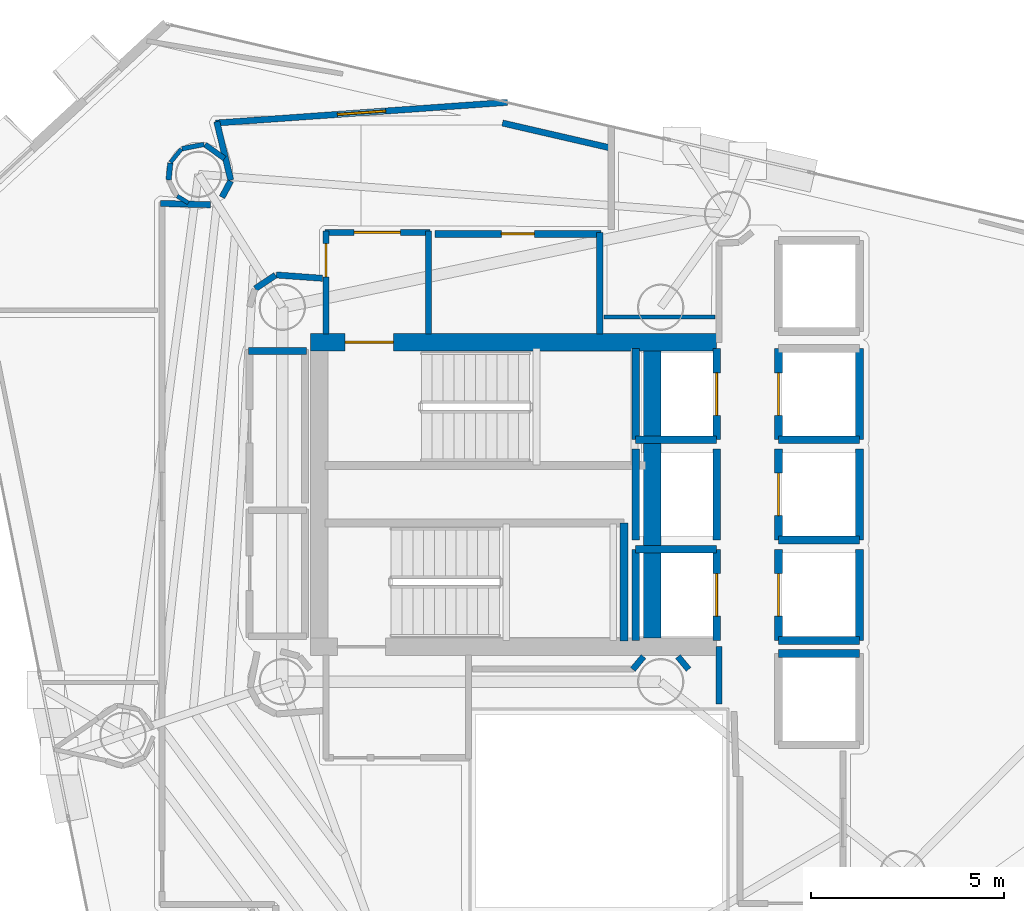
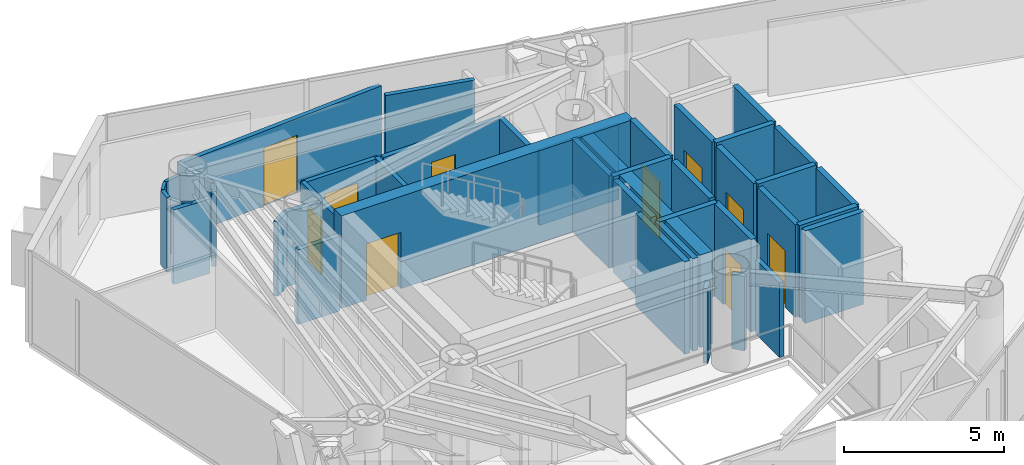
# One storey, part 18 of 22: 43 walls, 10 doors, 10 openings.
"""IFC4 building model written with IfcOpenShell, lengths in metres."""

from ifc_helpers import new_model, si_unit, direction, frame, frame_2d, origin, place, context, subcontext, project, spatial, rectangle, extrude, material, layer, layer_set, type_object, element, fill, save


model = new_model("IFC4")

# Units and contexts
model_context = context("Model", 3, precision=1e-05, world=origin(), true_north=direction((0.0, 1.0)))
body_context = subcontext(model_context, "Body", "Model", "MODEL_VIEW")
ifc_project = project(units=[si_unit("LENGTHUNIT", "METRE"), si_unit("AREAUNIT", "SQUARE_METRE"), si_unit("VOLUMEUNIT", "CUBIC_METRE"), si_unit("PLANEANGLEUNIT", "RADIAN"), si_unit("MASSUNIT", "GRAM", prefix="KILO")], contexts=[model_context])

# Site, building, storey
site_placement = place(None, origin())
site = spatial("IfcSite", under=ifc_project, at=site_placement, CompositionType="ELEMENT")
building_placement = place(site_placement, origin())
building = spatial("IfcBuilding", under=site, at=building_placement, Name="Qianvela Tower", CompositionType="ELEMENT")
storey_placement = place(building_placement, frame((0.0, 0.0, 196.60009765625)))
storey = spatial("IfcBuildingStorey", under=building, at=storey_placement, Name="L50", CompositionType="ELEMENT", Elevation=196.60009765625)

# Wall, opening, door
ifc_material_1 = material(Name="Concrete C50", Category="concrete")
ifc_layer_1 = layer(ifc_material_1, 0.449951171875)
ifc_layer_set_1 = layer_set([ifc_layer_1], Name="Concrete C50")
wall_type_1 = type_object("IfcWallType", Name="WT-CORE-450", PredefinedType="SHEAR", material=ifc_layer_set_1)
wall_1_placement = place(storey_placement, frame((29.330078125, 32.64501953125, 0.0), z_axis=(0.0, 0.0, 1.0), x_axis=(1.0, 0.0, 0.0)))
wall_1 = element("IfcWall", 1, at=wall_1_placement, inside=storey, type_object=wall_type_1, Name="L50 North Core Shear Wall", PredefinedType="SHEAR", context=body_context, shape_type="SweptSolid", body=[
    extrude(rectangle(XDim=10.52001953125, YDim=0.449951171875, at=frame_2d((5.260009765625, 0.0))), origin(), (0.0, 0.0, 1.0), 3.52001953125),
])
opening_1_placement = place(wall_1_placement, frame((0.89501953125, 0.0, 0.0)))
opening_1 = element("IfcOpeningElement", 2, at=opening_1_placement, cuts=wall_1, Name="Opening D-ST1", PredefinedType="OPENING", context=body_context, shape_type="SweptSolid", body=[
    extrude(rectangle(XDim=1.25, YDim=2.14990234375, at=frame_2d((0.625, 1.074951171875))), frame((0.0, 0.23486328125, 0.0), z_axis=(0.0, -1.0, 0.0), x_axis=(1.0, 0.0, 0.0)), (0.0, 0.0, 1.0), 0.469970703125),
])
ifc_material_2 = material(Name="Galvanised Fire Steel Q355B", Category="steel")
door_type_1 = type_object("IfcDoorType", Name="DT-STAIR-FD90", OperationType="NOTDEFINED", PredefinedType="DOOR", material=ifc_material_2)
door_1_placement = place(opening_1_placement, origin())
door_1 = element("IfcDoor", 3, at=door_1_placement, inside=storey, type_object=door_type_1, Name="L50 Stair ST-1 Exit Door", OperationType="SINGLE_SWING_RIGHT", OverallHeight=2.14990234375, OverallWidth=1.25, PredefinedType="DOOR", context=body_context, shape_type="SweptSolid", body=[
    extrude(rectangle(XDim=1.25, YDim=2.14990234375, at=frame_2d((0.625, 1.074951171875))), frame((0.0, 0.02490234375, 0.0), z_axis=(0.0, -1.0, 0.0), x_axis=(1.0, 0.0, 0.0)), (0.0, 0.0, 1.0), 0.050048828125),
])
fill(opening_1, door_1)

# Wall
wall_2_placement = place(storey_placement, frame((38.179931640625, 24.97998046875, 0.0), z_axis=(0.0, 0.0, 1.0), x_axis=(0.0, 1.0, 0.0)))
element("IfcWall", 4, at=wall_2_placement, inside=storey, type_object=wall_type_1, Name="L50 East Spine Core Shear Wall", PredefinedType="SHEAR", context=body_context, shape_type="SweptSolid", body=[
    extrude(rectangle(XDim=7.43994140625, YDim=0.449951171875, at=frame_2d((3.719970703125, 0.0))), origin(), (0.0, 0.0, 1.0), 3.52001953125),
])

# Wall, opening, door
ifc_material_3 = material(Name="Fire-Rated Gypsum and Concrete Block", Category="concrete")
ifc_layer_2 = layer(ifc_material_3, 0.159912109375)
ifc_layer_set_2 = layer_set([ifc_layer_2], Name="Fire-Rated Gypsum and Concrete Block")
wall_type_2 = type_object("IfcWallType", Name="WT-CORR-160", PredefinedType="PARTITIONING", material=ifc_layer_set_2)
wall_3_placement = place(storey_placement, frame((29.73095703125, 32.85791015625, 0.0), z_axis=(0.0, 0.0, 1.0), x_axis=(0.0, 1.0, 0.0)))
wall_3 = element("IfcWall", 5, at=wall_3_placement, inside=storey, type_object=wall_type_2, Name="L50 Partition 2", PredefinedType="PARTITIONING", context=body_context, shape_type="SweptSolid", body=[
    extrude(rectangle(XDim=2.662109375, YDim=0.159912109375, at=frame_2d((1.3310546875, 0.0))), origin(), (0.0, 0.0, 1.0), 2.83984375),
])
opening_2_placement = place(wall_3_placement, frame((1.478271484375, 0.0, 0.0)))
opening_2 = element("IfcOpeningElement", 6, at=opening_2_placement, cuts=wall_3, Name="Opening D-LB2", PredefinedType="OPENING", context=body_context, shape_type="SweptSolid", body=[
    extrude(rectangle(XDim=0.860107421875, YDim=2.050048828125, at=frame_2d((0.43017578125, 1.02490234375))), frame((0.0, 0.08984375, 0.0), z_axis=(0.0, -1.0, 0.0), x_axis=(1.0, 0.0, 0.0)), (0.0, 0.0, 1.0), 0.179931640625),
])
ifc_material_4 = material(Name="Insulated Steel Fire Door Q355B", Category="steel")
door_type_2 = type_object("IfcDoorType", Name="DT-LOBBY-FD90-860", OperationType="NOTDEFINED", PredefinedType="DOOR", material=ifc_material_4)
door_2_placement = place(opening_2_placement, origin())
door_2 = element("IfcDoor", 7, at=door_2_placement, inside=storey, type_object=door_type_2, Name="L50 Door L50 Firefighting Lobby North to L50 Floor Corridor", OperationType="SINGLE_SWING_LEFT", OverallHeight=2.050048828125, OverallWidth=0.860107421875, PredefinedType="DOOR", context=body_context, shape_type="SweptSolid", body=[
    extrude(rectangle(XDim=0.860107421875, YDim=2.050048828125, at=frame_2d((0.43017578125, 1.02490234375))), frame((0.0, 0.02490234375, 0.0), z_axis=(0.0, -1.0, 0.0), x_axis=(1.0, 0.0, 0.0)), (0.0, 0.0, 1.0), 0.050048828125),
])
fill(opening_2, door_2)

wall_4_placement = place(storey_placement, frame((29.699951171875, 35.489013671875, 0.0), z_axis=(0.0, 0.0, 1.0), x_axis=(1.0, 0.0, 0.0)))
wall_4 = element("IfcWall", 8, at=wall_4_placement, inside=storey, type_object=wall_type_2, Name="L50 Partition 3", PredefinedType="PARTITIONING", context=body_context, shape_type="SweptSolid", body=[
    extrude(rectangle(XDim=2.719970703125, YDim=0.159912109375, at=frame_2d((1.35986328125, 0.0))), origin(), (0.0, 0.0, 1.0), 2.83984375),
])
opening_3_placement = place(wall_4_placement, frame((0.760009765625, 0.0, 0.0)))
opening_3 = element("IfcOpeningElement", 9, at=opening_3_placement, cuts=wall_4, Name="Opening D-LB1", PredefinedType="OPENING", context=body_context, shape_type="SweptSolid", body=[
    extrude(rectangle(XDim=1.199951171875, YDim=2.14990234375, at=frame_2d((0.60009765625, 1.074951171875))), frame((0.0, 0.08984375, 0.0), z_axis=(0.0, -1.0, 0.0), x_axis=(1.0, 0.0, 0.0)), (0.0, 0.0, 1.0), 0.179931640625),
])
ifc_material_5 = material(Name="Glazed Fire-Rated Steel Frame", Category="steel")
door_type_3 = type_object("IfcDoorType", Name="DT-LOBBY-FD90", OperationType="NOTDEFINED", PredefinedType="DOOR", material=ifc_material_5)
door_3_placement = place(opening_3_placement, origin())
door_3 = element("IfcDoor", 10, at=door_3_placement, inside=storey, type_object=door_type_3, Name="L50 Door L50 Firefighting Lobby North to L50 Floor Corridor", OperationType="SINGLE_SWING_RIGHT", OverallHeight=2.14990234375, OverallWidth=1.199951171875, PredefinedType="DOOR", context=body_context, shape_type="SweptSolid", body=[
    extrude(rectangle(XDim=1.199951171875, YDim=2.14990234375, at=frame_2d((0.60009765625, 1.074951171875))), frame((0.0, 0.02490234375, 0.0), z_axis=(0.0, -1.0, 0.0), x_axis=(1.0, 0.0, 0.0)), (0.0, 0.0, 1.0), 0.050048828125),
])
fill(opening_3, door_3)

# Walls
wall_5_placement = place(storey_placement, frame((32.388916015625, 35.52001953125, 0.0), z_axis=(0.0, 0.0, 1.0), x_axis=(0.0, -1.0, 0.0)))
element("IfcWall", 11, at=wall_5_placement, inside=storey, type_object=wall_type_2, Name="L50 Partition 4", PredefinedType="PARTITIONING", context=body_context, shape_type="SweptSolid", body=[
    extrude(rectangle(XDim=2.662109375, YDim=0.159912109375, at=frame_2d((1.3310546875, 0.0))), origin(), (0.0, 0.0, 1.0), 2.83984375),
])
wall_6_placement = place(storey_placement, frame((39.910888671875, 23.280029296875, 0.0), z_axis=(0.0, 0.0, 1.0), x_axis=(0.0, 1.0, 0.0)))
element("IfcWall", 12, at=wall_6_placement, inside=storey, type_object=wall_type_2, Name="L50 Partition 10", PredefinedType="PARTITIONING", context=body_context, shape_type="SweptSolid", body=[
    extrude(rectangle(XDim=1.47998046875, YDim=0.159912109375, at=frame_2d((0.739990234375, 0.0))), origin(), (0.0, 0.0, 1.0), 2.83984375),
])
for number, where, z_axis, x_axis, name in (
    (13, (39.12109375, 24.169921875, 0.0), (0.0, 0.0, 1.0), (-0.638008265708, 0.770029514296, 0.0), "L50 Partition 45"),
    (14, (37.953857421875, 24.501708984375, 0.0), (0.0, 0.0, 1.0), (-0.638008265708, -0.770029514296, 0.0), "L50 Partition 48"),
):
    element("IfcWall", number, at=place(storey_placement, frame(where, z_axis=z_axis, x_axis=x_axis)), inside=storey, type_object=wall_type_2, Name=name, PredefinedType="PARTITIONING", context=body_context, shape_type="SweptSolid", body=[
        extrude(rectangle(XDim=0.430908203125, YDim=0.159912109375, at=frame_2d((0.21533203125, 0.0))), origin(), (0.0, 0.0, 1.0), 2.83984375),
    ])
wall_7_placement = place(storey_placement, frame((27.265380859375, 36.839111328125, 0.0), z_axis=(0.0, 0.0, 1.0), x_axis=(-0.232734022169, 0.972540423286, 0.0)))
element("IfcWall", 15, at=wall_7_placement, inside=storey, type_object=wall_type_2, Name="L50 Partition 50", PredefinedType="PARTITIONING", context=body_context, shape_type="SweptSolid", body=[
    extrude(rectangle(XDim=1.56103515625, YDim=0.159912109375, at=frame_2d((0.780517578125, 0.0))), origin(), (0.0, 0.0, 1.0), 2.83984375),
])

# Wall, opening, door
wall_8_placement = place(storey_placement, frame((26.871826171875, 38.319091796875, 0.0), z_axis=(0.0, 0.0, 1.0), x_axis=(0.997497948336, 0.070695424642, 0.0)))
wall_8 = element("IfcWall", 16, at=wall_8_placement, inside=storey, type_object=wall_type_2, Name="L50 Partition 51", PredefinedType="PARTITIONING", context=body_context, shape_type="SweptSolid", body=[
    extrude(rectangle(XDim=7.580322265625, YDim=0.159912109375, at=frame_2d((3.7900390625, 0.0))), origin(), (0.0, 0.0, 1.0), 2.83984375),
])
opening_4_placement = place(wall_8_placement, frame((3.1650390625, 0.0, 0.0)))
opening_4 = element("IfcOpeningElement", 17, at=opening_4_placement, cuts=wall_8, Name="Opening D-LG1", PredefinedType="OPENING", context=body_context, shape_type="SweptSolid", body=[
    extrude(rectangle(XDim=1.25, YDim=2.199951171875, at=frame_2d((0.625, 1.10009765625))), frame((0.0, 0.08984375, 0.0), z_axis=(0.0, -1.0, 0.0), x_axis=(1.0, 0.0, 0.0)), (0.0, 0.0, 1.0), 0.179931640625),
])
ifc_material_6 = material(Name="Anodised Aluminium Acoustic Glass Door", Category="aluminium")
door_type_4 = type_object("IfcDoorType", Name="DT-LOUNGE-1250", OperationType="NOTDEFINED", PredefinedType="DOOR", material=ifc_material_6)
door_4_placement = place(opening_4_placement, origin())
door_4 = element("IfcDoor", 18, at=door_4_placement, inside=storey, type_object=door_type_4, Name="L50 Door Quiet Desk Workspace L50-03 to L50 Floor Corridor", OperationType="SINGLE_SWING_RIGHT", OverallHeight=2.199951171875, OverallWidth=1.25, PredefinedType="DOOR", context=body_context, shape_type="SweptSolid", body=[
    extrude(rectangle(XDim=1.25, YDim=2.199951171875, at=frame_2d((0.625, 1.10009765625))), frame((0.0, 0.02490234375, 0.0), z_axis=(0.0, -1.0, 0.0), x_axis=(1.0, 0.0, 0.0)), (0.0, 0.0, 1.0), 0.050048828125),
])
fill(opening_4, door_4)

# Walls
wall_9_placement = place(storey_placement, frame((34.302490234375, 38.31982421875, 0.0), z_axis=(0.0, 0.0, 1.0), x_axis=(0.974391195695, -0.224859506699, 0.0)))
element("IfcWall", 19, at=wall_9_placement, inside=storey, type_object=wall_type_2, Name="L50 Partition 52", PredefinedType="PARTITIONING", context=body_context, shape_type="SweptSolid", body=[
    extrude(rectangle(XDim=2.915283203125, YDim=0.159912109375, at=frame_2d((1.45751953125, 0.0))), origin(), (0.0, 0.0, 1.0), 2.83984375),
])
wall_10_placement = place(storey_placement, frame((29.64013671875, 34.298583984375, 0.0), z_axis=(0.0, 0.0, 1.0), x_axis=(-0.997392224386, 0.072171675429, 0.0)))
element("IfcWall", 20, at=wall_10_placement, inside=storey, type_object=wall_type_2, Name="L50 Partition 56", PredefinedType="PARTITIONING", context=body_context, shape_type="SweptSolid", body=[
    extrude(rectangle(XDim=1.200927734375, YDim=0.159912109375, at=frame_2d((0.6005859375, 0.0))), origin(), (0.0, 0.0, 1.0), 2.83984375),
])
wall_11_placement = place(storey_placement, frame((28.4228515625, 34.3798828125, 0.0), z_axis=(0.0, 0.0, 1.0), x_axis=(-0.831571279003, -0.555418047903, 0.0)))
element("IfcWall", 21, at=wall_11_placement, inside=storey, type_object=wall_type_2, Name="L50 Partition 57", PredefinedType="PARTITIONING", context=body_context, shape_type="SweptSolid", body=[
    extrude(rectangle(XDim=0.627685546875, YDim=0.159912109375, at=frame_2d((0.31396484375, 0.0))), origin(), (0.0, 0.0, 1.0), 2.83984375),
])
wall_12_placement = place(storey_placement, frame((25.44921875, 36.237548828125, 0.0), z_axis=(0.0, 0.0, 1.0), x_axis=(0.999651698073, -0.026390955635, 0.0)))
element("IfcWall", 22, at=wall_12_placement, inside=storey, type_object=wall_type_2, Name="L50 Partition 74", PredefinedType="PARTITIONING", context=body_context, shape_type="SweptSolid", body=[
    extrude(rectangle(XDim=1.295166015625, YDim=0.159912109375, at=frame_2d((0.6474609375, 0.0))), origin(), (0.0, 0.0, 1.0), 2.83984375),
])
wall_13_placement = place(storey_placement, frame((27.0380859375, 36.397705078125, 0.0), z_axis=(0.0, 0.0, 1.0), x_axis=(0.471865548338, 0.881670519123, 0.0)))
element("IfcWall", 23, at=wall_13_placement, inside=storey, type_object=wall_type_2, Name="L50 Partition 75", PredefinedType="PARTITIONING", context=body_context, shape_type="SweptSolid", body=[
    extrude(rectangle(XDim=0.47607421875, YDim=0.159912109375, at=frame_2d((0.238037109375, 0.0))), origin(), (0.0, 0.0, 1.0), 2.83984375),
])
ifc_material_7 = material(Name="Lightweight Gypsum Room Partition")
ifc_layer_3 = layer(ifc_material_7, 0.10498046875)
ifc_layer_set_3 = layer_set([ifc_layer_3], Name="Lightweight Gypsum Room Partition")
wall_type_3 = type_object("IfcWallType", Name="WT-PART-105", PredefinedType="PARTITIONING", material=ifc_layer_set_3)
wall_14_placement = place(storey_placement, frame((39.800048828125, 33.29296875, 0.0), z_axis=(0.0, 0.0, 1.0), x_axis=(-1.0, 0.0, 0.0)))
element("IfcWall", 24, at=wall_14_placement, inside=storey, type_object=wall_type_3, Name="L50 Partition 104", PredefinedType="PARTITIONING", context=body_context, shape_type="SweptSolid", body=[
    extrude(rectangle(XDim=2.8701171875, YDim=0.10498046875, at=frame_2d((1.43505859375, 0.0))), origin(), (0.0, 0.0, 1.0), 2.83984375),
])
wall_15_placement = place(storey_placement, frame((25.98486328125, 37.6435546875, 0.0), z_axis=(0.0, 0.0, 1.0), x_axis=(-0.634562438402, -0.772871601088, 0.0)))
element("IfcWall", 25, at=wall_15_placement, inside=storey, type_object=wall_type_3, Name="L50 Partition 113", PredefinedType="PARTITIONING", context=body_context, shape_type="SweptSolid", body=[
    extrude(rectangle(XDim=0.44140625, YDim=0.10498046875, at=frame_2d((0.220703125, 0.0))), origin(), (0.0, 0.0, 1.0), 2.83984375),
])
wall_16_placement = place(storey_placement, frame((25.87744140625, 36.42822265625, 0.0), z_axis=(0.0, 0.0, 1.0), x_axis=(0.852322728649, -0.523016219853, 0.0)))
element("IfcWall", 26, at=wall_16_placement, inside=storey, type_object=wall_type_3, Name="L50 Partition 116", PredefinedType="PARTITIONING", context=body_context, shape_type="SweptSolid", body=[
    extrude(rectangle(XDim=0.34033203125, YDim=0.10498046875, at=frame_2d((0.170166015625, 0.0))), origin(), (0.0, 0.0, 1.0), 2.83984375),
])
ifc_material_8 = material(Name="Insulated Gypsum Stud Partition")
ifc_layer_4 = layer(ifc_material_8, 0.1201171875)
ifc_layer_set_4 = layer_set([ifc_layer_4], Name="Insulated Gypsum Stud Partition")
wall_type_4 = type_object("IfcWallType", Name="WT-PART-120", PredefinedType="PARTITIONING", material=ifc_layer_set_4)
wall_17_placement = place(storey_placement, frame((26.5732421875, 37.767822265625, 0.0), z_axis=(0.0, 0.0, 1.0), x_axis=(-0.980773892286, -0.195147565217, 0.0)))
element("IfcWall", 27, at=wall_17_placement, inside=storey, type_object=wall_type_4, Name="L50 Partition 112", PredefinedType="PARTITIONING", context=body_context, shape_type="SweptSolid", body=[
    extrude(rectangle(XDim=0.581787109375, YDim=0.1201171875, at=frame_2d((0.291015625, 0.0))), origin(), (0.0, 0.0, 1.0), 2.83984375),
])

# Wall, opening, door
ifc_material_9 = material(Name="Moisture-Resistant Acoustic Plumbing Wall")
ifc_layer_5 = layer(ifc_material_9, 0.175048828125)
ifc_layer_set_5 = layer_set([ifc_layer_5], Name="Moisture-Resistant Acoustic Plumbing Wall")
wall_type_5 = type_object("IfcWallType", Name="WT-PLUMB-175", PredefinedType="PLUMBINGWALL", material=ifc_layer_set_5)
wall_18_placement = place(storey_placement, frame((32.550048828125, 35.448974609375, 0.0), z_axis=(0.0, 0.0, 1.0), x_axis=(1.0, 0.0, 0.0)))
wall_18 = element("IfcWall", 28, at=wall_18_placement, inside=storey, type_object=wall_type_5, Name="L50 Partition 22", PredefinedType="PLUMBINGWALL", context=body_context, shape_type="SweptSolid", body=[
    extrude(rectangle(XDim=4.300048828125, YDim=0.175048828125, at=frame_2d((2.14990234375, 0.0))), origin(), (0.0, 0.0, 1.0), 2.83984375),
])
opening_5_placement = place(wall_18_placement, frame((1.719970703125, 0.0, 0.0)))
opening_5 = element("IfcOpeningElement", 29, at=opening_5_placement, cuts=wall_18, Name="Opening D-WC1", PredefinedType="OPENING", context=body_context, shape_type="SweptSolid", body=[
    extrude(rectangle(XDim=0.860107421875, YDim=2.050048828125, at=frame_2d((0.43017578125, 1.02490234375))), frame((0.0, 0.097412109375, 0.0), z_axis=(0.0, -1.0, 0.0), x_axis=(1.0, 0.0, 0.0)), (0.0, 0.0, 1.0), 0.195068359375),
])
ifc_material_10 = material(Name="Moisture-Sealed Acoustic Timber Door", Category="wood")
door_type_5 = type_object("IfcDoorType", Name="DT-WC-860", OperationType="NOTDEFINED", PredefinedType="DOOR", material=ifc_material_10)
door_5_placement = place(opening_5_placement, origin())
door_5 = element("IfcDoor", 30, at=door_5_placement, inside=storey, type_object=door_type_5, Name="L50 Door L50 Accessible WC to L50 Floor Corridor", OperationType="SINGLE_SWING_LEFT", OverallHeight=2.050048828125, OverallWidth=0.860107421875, PredefinedType="DOOR", context=body_context, shape_type="SweptSolid", body=[
    extrude(rectangle(XDim=0.860107421875, YDim=2.050048828125, at=frame_2d((0.43017578125, 1.02490234375))), frame((0.0, 0.02490234375, 0.0), z_axis=(0.0, -1.0, 0.0), x_axis=(1.0, 0.0, 0.0)), (0.0, 0.0, 1.0), 0.050048828125),
])
fill(opening_5, door_5)

# Walls
wall_19_placement = place(storey_placement, frame((36.819091796875, 35.47998046875, 0.0), z_axis=(0.0, 0.0, 1.0), x_axis=(0.0, -1.0, 0.0)))
element("IfcWall", 31, at=wall_19_placement, inside=storey, type_object=wall_type_5, Name="L50 Partition 23", PredefinedType="PLUMBINGWALL", context=body_context, shape_type="SweptSolid", body=[
    extrude(rectangle(XDim=2.6220703125, YDim=0.175048828125, at=frame_2d((1.31103515625, 0.0))), origin(), (0.0, 0.0, 1.0), 2.83984375),
])
wall_20_placement = place(storey_placement, frame((27.719970703125, 32.4189453125, 0.0), z_axis=(0.0, 0.0, 1.0), x_axis=(1.0, 0.0, 0.0)))
element("IfcWall", 32, at=wall_20_placement, inside=storey, type_object=wall_type_5, Name="L50 Partition 29", PredefinedType="PLUMBINGWALL", context=body_context, shape_type="SweptSolid", body=[
    extrude(rectangle(XDim=1.5, YDim=0.175048828125, at=frame_2d((0.75, 0.0))), origin(), (0.0, 0.0, 1.0), 2.83984375),
])
ifc_material_11 = material(Name="Acoustic Double Gypsum Stud Partition")
ifc_layer_6 = layer(ifc_material_11, 0.139892578125)
ifc_layer_set_6 = layer_set([ifc_layer_6], Name="Acoustic Double Gypsum Stud Partition")
wall_type_6 = type_object("IfcWallType", Name="WT-ROOM-140", PredefinedType="PARTITIONING", material=ifc_layer_set_6)
wall_21_placement = place(storey_placement, frame((27.102294921875, 37.3994140625, 0.0), z_axis=(0.0, 0.0, 1.0), x_axis=(-0.811712980853, 0.584056535546, 0.0)))
element("IfcWall", 33, at=wall_21_placement, inside=storey, type_object=wall_type_6, Name="L50 Partition 111", PredefinedType="PARTITIONING", context=body_context, shape_type="SweptSolid", body=[
    extrude(rectangle(XDim=0.6220703125, YDim=0.139892578125, at=frame_2d((0.31103515625, 0.0))), origin(), (0.0, 0.0, 1.0), 2.83984375),
])
wall_22_placement = place(storey_placement, frame((25.697998046875, 37.285888671875, 0.0), z_axis=(0.0, 0.0, 1.0), x_axis=(-0.097915215421, -0.995194760129, 0.0)))
element("IfcWall", 34, at=wall_22_placement, inside=storey, type_object=wall_type_6, Name="L50 Partition 114", PredefinedType="PARTITIONING", context=body_context, shape_type="SweptSolid", body=[
    extrude(rectangle(XDim=0.44140625, YDim=0.139892578125, at=frame_2d((0.220703125, 0.0))), origin(), (0.0, 0.0, 1.0), 2.83984375),
])
ifc_material_12 = material(Name="Concrete C50", Category="concrete")
ifc_layer_7 = layer(ifc_material_12, 0.199951171875)
ifc_layer_set_7 = layer_set([ifc_layer_7], Name="Concrete C50")
wall_type_7 = type_object("IfcWallType", Name="WT-SHAFT-200", PredefinedType="SOLIDWALL", material=ifc_layer_set_7)
wall_23_placement = place(storey_placement, frame((37.449951171875, 24.89990234375, 0.0), z_axis=(0.0, 0.0, 1.0), x_axis=(0.0, 1.0, 0.0)))
element("IfcWall", 35, at=wall_23_placement, inside=storey, type_object=wall_type_7, Name="L50 Stair ST-2 East Wall", PredefinedType="SOLIDWALL", context=body_context, shape_type="SweptSolid", body=[
    extrude(rectangle(XDim=3.06005859375, YDim=0.199951171875, at=frame_2d((1.530029296875, 0.0))), origin(), (0.0, 0.0, 1.0), 3.52001953125),
])

# Wall, opening, door
wall_24_placement = place(storey_placement, frame((39.85009765625, 30.1201171875, 0.0), z_axis=(0.0, 0.0, 1.0), x_axis=(0.0, 1.0, 0.0)))
wall_24 = element("IfcWall", 36, at=wall_24_placement, inside=storey, type_object=wall_type_7, Name="L50 Lift FL-1 E Shaft Wall", PredefinedType="SOLIDWALL", context=body_context, shape_type="SweptSolid", body=[
    extrude(rectangle(XDim=2.35986328125, YDim=0.199951171875, at=frame_2d((1.179931640625, 0.0))), origin(), (0.0, 0.0, 1.0), 3.52001953125),
])
opening_6_placement = place(wall_24_placement, frame((0.6298828125, 0.0, 0.0)))
opening_6 = element("IfcOpeningElement", 37, at=opening_6_placement, cuts=wall_24, Name="Opening LD-01", PredefinedType="OPENING", context=body_context, shape_type="SweptSolid", body=[
    extrude(rectangle(XDim=1.10009765625, YDim=2.14990234375, at=frame_2d((0.550048828125, 1.074951171875))), frame((0.0, 0.10986328125, 0.0), z_axis=(0.0, -1.0, 0.0), x_axis=(1.0, 0.0, 0.0)), (0.0, 0.0, 1.0), 0.219970703125),
])
ifc_material_13 = material(Name="Brushed Stainless Steel Lift Landing Door", Category="steel")
door_type_6 = type_object("IfcDoorType", Name="DT-LIFT-SLIDE-1100", OperationType="SLIDING_TO_LEFT", PredefinedType="DOOR", material=ifc_material_13)
door_6_placement = place(opening_6_placement, origin())
door_6 = element("IfcDoor", 38, at=door_6_placement, inside=storey, type_object=door_type_6, Name="L50 Lift FL-1 Sliding Landing Door", OperationType="SLIDING_TO_LEFT", OverallHeight=2.14990234375, OverallWidth=1.10009765625, PredefinedType="DOOR", context=body_context, shape_type="SweptSolid", body=[
    extrude(rectangle(XDim=1.10009765625, YDim=2.14990234375, at=frame_2d((0.550048828125, 1.074951171875))), frame((0.0, 0.02490234375, 0.0), z_axis=(0.0, -1.0, 0.0), x_axis=(1.0, 0.0, 0.0)), (0.0, 0.0, 1.0), 0.050048828125),
])
fill(opening_6, door_6)

# Walls
wall_25_placement = place(storey_placement, frame((37.75, 30.1201171875, 0.0), z_axis=(0.0, 0.0, 1.0), x_axis=(0.0, 1.0, 0.0)))
element("IfcWall", 39, at=wall_25_placement, inside=storey, type_object=wall_type_7, Name="L50 Lift FL-1 W Shaft Wall", PredefinedType="SOLIDWALL", context=body_context, shape_type="SweptSolid", body=[
    extrude(rectangle(XDim=2.35986328125, YDim=0.199951171875, at=frame_2d((1.179931640625, 0.0))), origin(), (0.0, 0.0, 1.0), 3.52001953125),
])
wall_26_placement = place(storey_placement, frame((37.75, 30.1201171875, 0.0), z_axis=(0.0, 0.0, 1.0), x_axis=(1.0, 0.0, 0.0)))
element("IfcWall", 40, at=wall_26_placement, inside=storey, type_object=wall_type_7, Name="L50 Lift FL-1 S Shaft Wall", PredefinedType="SOLIDWALL", context=body_context, shape_type="SweptSolid", body=[
    extrude(rectangle(XDim=2.10009765625, YDim=0.199951171875, at=frame_2d((1.050048828125, 0.0))), origin(), (0.0, 0.0, 1.0), 3.52001953125),
])

# Wall, opening, door
wall_27_placement = place(storey_placement, frame((39.85009765625, 24.919921875, 0.0), z_axis=(0.0, 0.0, 1.0), x_axis=(0.0, 1.0, 0.0)))
wall_27 = element("IfcWall", 41, at=wall_27_placement, inside=storey, type_object=wall_type_7, Name="L50 Lift FL-2 E Shaft Wall", PredefinedType="SOLIDWALL", context=body_context, shape_type="SweptSolid", body=[
    extrude(rectangle(XDim=2.360107421875, YDim=0.199951171875, at=frame_2d((1.18017578125, 0.0))), origin(), (0.0, 0.0, 1.0), 3.52001953125),
])
opening_7_placement = place(wall_27_placement, frame((0.6298828125, 0.0, 0.0)))
opening_7 = element("IfcOpeningElement", 42, at=opening_7_placement, cuts=wall_27, Name="Opening LD-01", PredefinedType="OPENING", context=body_context, shape_type="SweptSolid", body=[
    extrude(rectangle(XDim=1.10009765625, YDim=2.14990234375, at=frame_2d((0.550048828125, 1.074951171875))), frame((0.0, 0.10986328125, 0.0), z_axis=(0.0, -1.0, 0.0), x_axis=(1.0, 0.0, 0.0)), (0.0, 0.0, 1.0), 0.219970703125),
])
door_7_placement = place(opening_7_placement, origin())
door_7 = element("IfcDoor", 43, at=door_7_placement, inside=storey, type_object=door_type_6, Name="L50 Lift FL-2 Sliding Landing Door", OperationType="SLIDING_TO_LEFT", OverallHeight=2.14990234375, OverallWidth=1.10009765625, PredefinedType="DOOR", context=body_context, shape_type="SweptSolid", body=[
    extrude(rectangle(XDim=1.10009765625, YDim=2.14990234375, at=frame_2d((0.550048828125, 1.074951171875))), frame((0.0, 0.02490234375, 0.0), z_axis=(0.0, -1.0, 0.0), x_axis=(1.0, 0.0, 0.0)), (0.0, 0.0, 1.0), 0.050048828125),
])
fill(opening_7, door_7)

# Walls
wall_28_placement = place(storey_placement, frame((37.75, 24.919921875, 0.0), z_axis=(0.0, 0.0, 1.0), x_axis=(0.0, 1.0, 0.0)))
element("IfcWall", 44, at=wall_28_placement, inside=storey, type_object=wall_type_7, Name="L50 Lift FL-2 W Shaft Wall", PredefinedType="SOLIDWALL", context=body_context, shape_type="SweptSolid", body=[
    extrude(rectangle(XDim=2.360107421875, YDim=0.199951171875, at=frame_2d((1.18017578125, 0.0))), origin(), (0.0, 0.0, 1.0), 3.52001953125),
])
wall_29_placement = place(storey_placement, frame((37.75, 27.280029296875, 0.0), z_axis=(0.0, 0.0, 1.0), x_axis=(1.0, 0.0, 0.0)))
element("IfcWall", 45, at=wall_29_placement, inside=storey, type_object=wall_type_7, Name="L50 Lift FL-2 N Shaft Wall", PredefinedType="SOLIDWALL", context=body_context, shape_type="SweptSolid", body=[
    extrude(rectangle(XDim=2.10009765625, YDim=0.199951171875, at=frame_2d((1.050048828125, 0.0))), origin(), (0.0, 0.0, 1.0), 3.52001953125),
])
wall_30_placement = place(storey_placement, frame((43.550048828125, 30.1201171875, 0.0), z_axis=(0.0, 0.0, 1.0), x_axis=(0.0, 1.0, 0.0)))
element("IfcWall", 46, at=wall_30_placement, inside=storey, type_object=wall_type_7, Name="L50 Lift PL-M1 E Shaft Wall", PredefinedType="SOLIDWALL", context=body_context, shape_type="SweptSolid", body=[
    extrude(rectangle(XDim=2.35986328125, YDim=0.199951171875, at=frame_2d((1.179931640625, 0.0))), origin(), (0.0, 0.0, 1.0), 3.52001953125),
])

# Wall, opening, door
wall_31_placement = place(storey_placement, frame((41.449951171875, 30.1201171875, 0.0), z_axis=(0.0, 0.0, 1.0), x_axis=(0.0, 1.0, 0.0)))
wall_31 = element("IfcWall", 47, at=wall_31_placement, inside=storey, type_object=wall_type_7, Name="L50 Lift PL-M1 W Shaft Wall", PredefinedType="SOLIDWALL", context=body_context, shape_type="SweptSolid", body=[
    extrude(rectangle(XDim=2.35986328125, YDim=0.199951171875, at=frame_2d((1.179931640625, 0.0))), origin(), (0.0, 0.0, 1.0), 3.52001953125),
])
opening_8_placement = place(wall_31_placement, frame((0.6298828125, 0.0, 0.0)))
opening_8 = element("IfcOpeningElement", 48, at=opening_8_placement, cuts=wall_31, Name="Opening LD-01", PredefinedType="OPENING", context=body_context, shape_type="SweptSolid", body=[
    extrude(rectangle(XDim=1.10009765625, YDim=2.14990234375, at=frame_2d((0.550048828125, 1.074951171875))), frame((0.0, 0.10986328125, 0.0), z_axis=(0.0, -1.0, 0.0), x_axis=(1.0, 0.0, 0.0)), (0.0, 0.0, 1.0), 0.219970703125),
])
door_8_placement = place(opening_8_placement, origin())
door_8 = element("IfcDoor", 49, at=door_8_placement, inside=storey, type_object=door_type_6, Name="L50 Lift PL-M1 Sliding Landing Door", OperationType="SLIDING_TO_LEFT", OverallHeight=2.14990234375, OverallWidth=1.10009765625, PredefinedType="DOOR", context=body_context, shape_type="SweptSolid", body=[
    extrude(rectangle(XDim=1.10009765625, YDim=2.14990234375, at=frame_2d((0.550048828125, 1.074951171875))), frame((0.0, 0.02490234375, 0.0), z_axis=(0.0, -1.0, 0.0), x_axis=(1.0, 0.0, 0.0)), (0.0, 0.0, 1.0), 0.050048828125),
])
fill(opening_8, door_8)

# Walls
wall_32_placement = place(storey_placement, frame((41.449951171875, 30.1201171875, 0.0), z_axis=(0.0, 0.0, 1.0), x_axis=(1.0, 0.0, 0.0)))
element("IfcWall", 50, at=wall_32_placement, inside=storey, type_object=wall_type_7, Name="L50 Lift PL-M1 S Shaft Wall", PredefinedType="SOLIDWALL", context=body_context, shape_type="SweptSolid", body=[
    extrude(rectangle(XDim=2.10009765625, YDim=0.199951171875, at=frame_2d((1.050048828125, 0.0))), origin(), (0.0, 0.0, 1.0), 3.52001953125),
])
wall_33_placement = place(storey_placement, frame((43.550048828125, 27.52001953125, 0.0), z_axis=(0.0, 0.0, 1.0), x_axis=(0.0, 1.0, 0.0)))
element("IfcWall", 51, at=wall_33_placement, inside=storey, type_object=wall_type_7, Name="L50 Lift PL-M2 E Shaft Wall", PredefinedType="SOLIDWALL", context=body_context, shape_type="SweptSolid", body=[
    extrude(rectangle(XDim=2.35986328125, YDim=0.199951171875, at=frame_2d((1.179931640625, 0.0))), origin(), (0.0, 0.0, 1.0), 3.52001953125),
])

# Wall, opening, door
wall_34_placement = place(storey_placement, frame((41.449951171875, 27.52001953125, 0.0), z_axis=(0.0, 0.0, 1.0), x_axis=(0.0, 1.0, 0.0)))
wall_34 = element("IfcWall", 52, at=wall_34_placement, inside=storey, type_object=wall_type_7, Name="L50 Lift PL-M2 W Shaft Wall", PredefinedType="SOLIDWALL", context=body_context, shape_type="SweptSolid", body=[
    extrude(rectangle(XDim=2.35986328125, YDim=0.199951171875, at=frame_2d((1.179931640625, 0.0))), origin(), (0.0, 0.0, 1.0), 3.52001953125),
])
opening_9_placement = place(wall_34_placement, frame((0.6298828125, 0.0, 0.0)))
opening_9 = element("IfcOpeningElement", 53, at=opening_9_placement, cuts=wall_34, Name="Opening LD-01", PredefinedType="OPENING", context=body_context, shape_type="SweptSolid", body=[
    extrude(rectangle(XDim=1.10009765625, YDim=2.14990234375, at=frame_2d((0.550048828125, 1.074951171875))), frame((0.0, 0.10986328125, 0.0), z_axis=(0.0, -1.0, 0.0), x_axis=(1.0, 0.0, 0.0)), (0.0, 0.0, 1.0), 0.219970703125),
])
door_9_placement = place(opening_9_placement, origin())
door_9 = element("IfcDoor", 54, at=door_9_placement, inside=storey, type_object=door_type_6, Name="L50 Lift PL-M2 Sliding Landing Door", OperationType="SLIDING_TO_LEFT", OverallHeight=2.14990234375, OverallWidth=1.10009765625, PredefinedType="DOOR", context=body_context, shape_type="SweptSolid", body=[
    extrude(rectangle(XDim=1.10009765625, YDim=2.14990234375, at=frame_2d((0.550048828125, 1.074951171875))), frame((0.0, 0.02490234375, 0.0), z_axis=(0.0, -1.0, 0.0), x_axis=(1.0, 0.0, 0.0)), (0.0, 0.0, 1.0), 0.050048828125),
])
fill(opening_9, door_9)

# Walls
wall_35_placement = place(storey_placement, frame((41.449951171875, 27.52001953125, 0.0), z_axis=(0.0, 0.0, 1.0), x_axis=(1.0, 0.0, 0.0)))
element("IfcWall", 55, at=wall_35_placement, inside=storey, type_object=wall_type_7, Name="L50 Lift PL-M2 S Shaft Wall", PredefinedType="SOLIDWALL", context=body_context, shape_type="SweptSolid", body=[
    extrude(rectangle(XDim=2.10009765625, YDim=0.199951171875, at=frame_2d((1.050048828125, 0.0))), origin(), (0.0, 0.0, 1.0), 3.52001953125),
])
wall_36_placement = place(storey_placement, frame((43.550048828125, 24.919921875, 0.0), z_axis=(0.0, 0.0, 1.0), x_axis=(0.0, 1.0, 0.0)))
element("IfcWall", 56, at=wall_36_placement, inside=storey, type_object=wall_type_7, Name="L50 Lift PL-M3 E Shaft Wall", PredefinedType="SOLIDWALL", context=body_context, shape_type="SweptSolid", body=[
    extrude(rectangle(XDim=2.360107421875, YDim=0.199951171875, at=frame_2d((1.18017578125, 0.0))), origin(), (0.0, 0.0, 1.0), 3.52001953125),
])

# Wall, opening, door
wall_37_placement = place(storey_placement, frame((41.449951171875, 24.919921875, 0.0), z_axis=(0.0, 0.0, 1.0), x_axis=(0.0, 1.0, 0.0)))
wall_37 = element("IfcWall", 57, at=wall_37_placement, inside=storey, type_object=wall_type_7, Name="L50 Lift PL-M3 W Shaft Wall", PredefinedType="SOLIDWALL", context=body_context, shape_type="SweptSolid", body=[
    extrude(rectangle(XDim=2.360107421875, YDim=0.199951171875, at=frame_2d((1.18017578125, 0.0))), origin(), (0.0, 0.0, 1.0), 3.52001953125),
])
opening_10_placement = place(wall_37_placement, frame((0.6298828125, 0.0, 0.0)))
opening_10 = element("IfcOpeningElement", 58, at=opening_10_placement, cuts=wall_37, Name="Opening LD-01", PredefinedType="OPENING", context=body_context, shape_type="SweptSolid", body=[
    extrude(rectangle(XDim=1.10009765625, YDim=2.14990234375, at=frame_2d((0.550048828125, 1.074951171875))), frame((0.0, 0.10986328125, 0.0), z_axis=(0.0, -1.0, 0.0), x_axis=(1.0, 0.0, 0.0)), (0.0, 0.0, 1.0), 0.219970703125),
])
door_10_placement = place(opening_10_placement, origin())
door_10 = element("IfcDoor", 59, at=door_10_placement, inside=storey, type_object=door_type_6, Name="L50 Lift PL-M3 Sliding Landing Door", OperationType="SLIDING_TO_LEFT", OverallHeight=2.14990234375, OverallWidth=1.10009765625, PredefinedType="DOOR", context=body_context, shape_type="SweptSolid", body=[
    extrude(rectangle(XDim=1.10009765625, YDim=2.14990234375, at=frame_2d((0.550048828125, 1.074951171875))), frame((0.0, 0.02490234375, 0.0), z_axis=(0.0, -1.0, 0.0), x_axis=(1.0, 0.0, 0.0)), (0.0, 0.0, 1.0), 0.050048828125),
])
fill(opening_10, door_10)

# Walls
wall_38_placement = place(storey_placement, frame((41.449951171875, 24.919921875, 0.0), z_axis=(0.0, 0.0, 1.0), x_axis=(1.0, 0.0, 0.0)))
element("IfcWall", 60, at=wall_38_placement, inside=storey, type_object=wall_type_7, Name="L50 Lift PL-M3 S Shaft Wall", PredefinedType="SOLIDWALL", context=body_context, shape_type="SweptSolid", body=[
    extrude(rectangle(XDim=2.10009765625, YDim=0.199951171875, at=frame_2d((1.050048828125, 0.0))), origin(), (0.0, 0.0, 1.0), 3.52001953125),
])
for number, where, z_axis, x_axis, name in (
    (61, (39.85009765625, 27.52001953125, 0.0), (0.0, 0.0, 1.0), (0.0, 1.0, 0.0), "L50 Lift PL-H1 E Shaft Wall"),
    (62, (37.75, 27.52001953125, 0.0), (0.0, 0.0, 1.0), (0.0, 1.0, 0.0), "L50 Lift PL-H1 W Shaft Wall"),
):
    element("IfcWall", number, at=place(storey_placement, frame(where, z_axis=z_axis, x_axis=x_axis)), inside=storey, type_object=wall_type_7, Name=name, PredefinedType="SOLIDWALL", context=body_context, shape_type="SweptSolid", body=[
        extrude(rectangle(XDim=2.35986328125, YDim=0.199951171875, at=frame_2d((1.179931640625, 0.0))), origin(), (0.0, 0.0, 1.0), 3.52001953125),
    ])
wall_39_placement = place(storey_placement, frame((41.449951171875, 24.580078125, 0.0), z_axis=(0.0, 0.0, 1.0), x_axis=(1.0, 0.0, 0.0)))
element("IfcWall", 63, at=wall_39_placement, inside=storey, type_object=wall_type_7, Name="L50 Lift PL-H2 N Shaft Wall", PredefinedType="SOLIDWALL", context=body_context, shape_type="SweptSolid", body=[
    extrude(rectangle(XDim=2.10009765625, YDim=0.199951171875, at=frame_2d((1.050048828125, 0.0))), origin(), (0.0, 0.0, 1.0), 3.52001953125),
])

save(model, "model.ifc")
